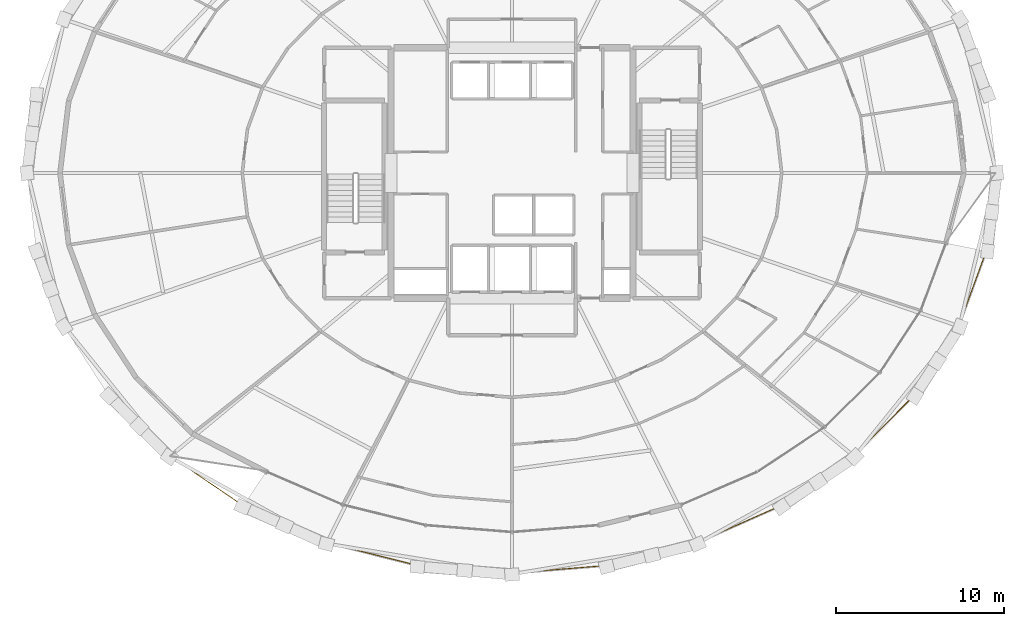
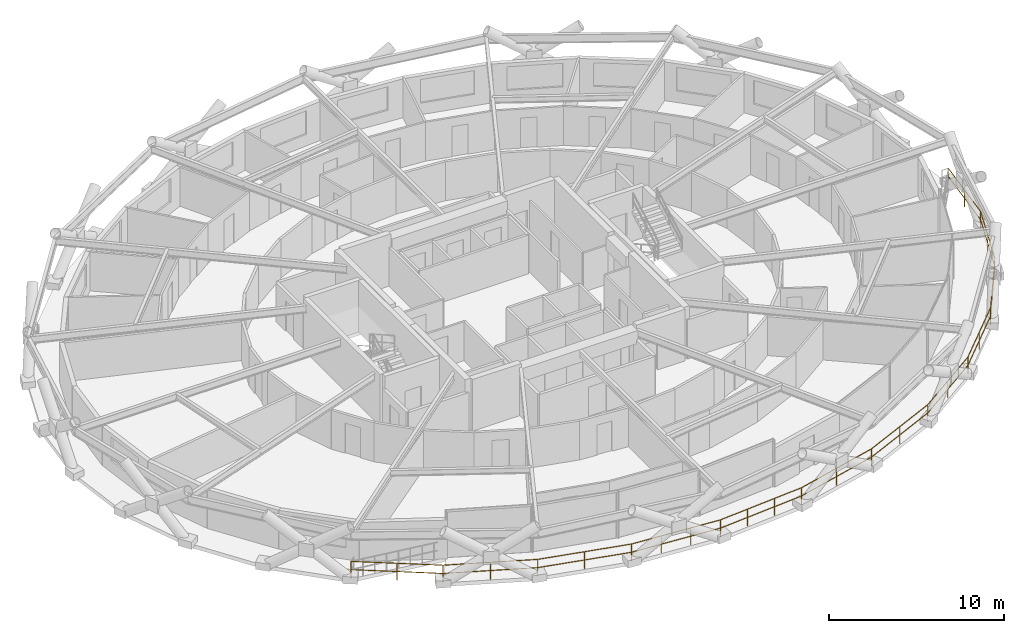
# One storey, part 20 of 21: 1 railing.
"""IFC4 building model written with IfcOpenShell, lengths in metres."""

import ifcopenshell
import ifcopenshell.guid

model = None  # the IFC model being written
_history = None  # IfcOwnerHistory: only IFC2X3 demands one
_inside = {}  # id of a spatial element -> (the spatial element, [elements in it])
_under = {}  # id of a project, library or spatial element -> (it, [spatial elements below it])
_declared = {}  # id of a project -> (the project, [libraries it declares])
_typed = {}  # id of a type object -> (the type object, [elements of that type])
_made_of = {}  # id of a material, layer set ... -> (it, [elements and type objects made of it])


def new_model(schema):
    """Start an empty IFC model of exactly this schema.

    Asked for "IFC4X3", IfcOpenShell would pick the latest addendum, in which some entities
    have other attributes; the version numbers below select the first issue.
    IFC2X3 requires an IfcOwnerHistory on every rooted entity: one is made here for all.
    """
    global model, _history
    if schema == "IFC4X3":
        model = ifcopenshell.file(schema_version=(4, 3, 0, 0))
    else:
        model = ifcopenshell.file(schema=schema)
    _inside.clear()
    _under.clear()
    _declared.clear()
    _typed.clear()
    _made_of.clear()
    _history = None
    if model.schema == "IFC2X3":
        org = make("IfcOrganization", Name="unknown")
        user = make(
            "IfcPersonAndOrganization",
            ThePerson=make("IfcPerson", FamilyName="unknown"),
            TheOrganization=org,
        )
        app = make(
            "IfcApplication",
            ApplicationDeveloper=org,
            Version="unknown",
            ApplicationFullName="unknown",
            ApplicationIdentifier="unknown",
        )
        _history = make(
            "IfcOwnerHistory",
            OwningUser=user,
            OwningApplication=app,
            ChangeAction="ADDED",
            CreationDate=0,
        )
    return model


def make(cls, **values):
    """One entity of the class cls with the attributes given. An attribute that is None is left unset."""
    return model.create_entity(
        cls, **{name: value for name, value in values.items() if value is not None}
    )


def rooted(cls, **values):
    """An entity with a GlobalId (a new one), such as an element, a storey or a relation."""
    return make(cls, GlobalId=ifcopenshell.guid.new(), OwnerHistory=_history, **values)


def si_unit(unit_type, name, prefix=None):
    """IfcSIUnit, for example si_unit("LENGTHUNIT", "METRE", prefix="MILLI")."""
    return make("IfcSIUnit", UnitType=unit_type, Prefix=prefix, Name=name)


def assignment(units):
    """IfcUnitAssignment: the units of a project."""
    return None if units is None else make("IfcUnitAssignment", Units=units)


def point(xyz):
    """IfcCartesianPoint."""
    return None if xyz is None else make("IfcCartesianPoint", Coordinates=xyz)


def direction(xyz):
    """IfcDirection."""
    return None if xyz is None else make("IfcDirection", DirectionRatios=xyz)


def frame(location, z_axis=None, x_axis=None):
    """IfcAxis2Placement3D, a coordinate frame: its origin and axes. An axis left out is left unset."""
    return make(
        "IfcAxis2Placement3D",
        Location=point(location),
        Axis=direction(z_axis),
        RefDirection=direction(x_axis),
    )


def frame_2d(location, x_axis=None):
    """IfcAxis2Placement2D, a coordinate frame in the plane: its origin and x axis."""
    return make(
        "IfcAxis2Placement2D", Location=point(location), RefDirection=direction(x_axis)
    )


def origin():
    """The frame at (0, 0, 0) with its axes left unset."""
    return frame((0.0, 0.0, 0.0))


def origin_2d():
    """The frame at (0, 0) in the plane with its x axis left unset."""
    return frame_2d((0.0, 0.0))


def place(relative_to, where):
    """IfcLocalPlacement: puts the frame where relative to a parent placement (None: the world)."""
    return make(
        "IfcLocalPlacement", PlacementRelTo=relative_to, RelativePlacement=where
    )


def context(
    kind, dimensions, precision=None, world=None, true_north=None, identifier=None
):
    """IfcGeometricRepresentationContext, for example the 3D "Model" context."""
    return make(
        "IfcGeometricRepresentationContext",
        ContextIdentifier=identifier,
        ContextType=kind,
        CoordinateSpaceDimension=dimensions,
        Precision=precision,
        WorldCoordinateSystem=world,
        TrueNorth=true_north,
    )


def subcontext(parent, identifier, kind, view, scale=None):
    """IfcGeometricRepresentationSubContext, for example "Body" below "Model"."""
    return make(
        "IfcGeometricRepresentationSubContext",
        ContextIdentifier=identifier,
        ContextType=kind,
        ParentContext=parent,
        TargetScale=scale,
        TargetView=view,
    )


def project(units=None, contexts=None):
    """IfcProject with its units and contexts."""
    return rooted(
        "IfcProject",
        Name="project",
        RepresentationContexts=contexts,
        UnitsInContext=assignment(units),
    )


def spatial(cls, under=None, at=None, **own):
    """A site, building, storey or space (cls), placed at a placement, below another one or the project."""
    s = rooted(cls, ObjectPlacement=at, **own)
    if under is not None:
        _under.setdefault(under.id(), (under, []))[1].append(s)
    return s


def profile(cls, at=None, kind="AREA", **sizes):
    """A parametric profile (cls). Its sizes go by their IFC names, for example OverallWidth=200.0."""
    return make(cls, ProfileType=kind, Position=at, **sizes)


def circle(**sizes):
    """IfcCircleProfileDef."""
    return profile("IfcCircleProfileDef", **sizes)


def extrude(swept, where, along, depth):
    """IfcExtrudedAreaSolid: the profile swept, set in the frame where, extruded along a direction by depth."""
    return make(
        "IfcExtrudedAreaSolid",
        SweptArea=swept,
        Position=where,
        ExtrudedDirection=direction(along),
        Depth=depth,
    )


def shape(context_of_items, identifier, shape_type, items):
    """IfcShapeRepresentation: the items that make up one representation, for example the "Body"."""
    return make(
        "IfcShapeRepresentation",
        ContextOfItems=context_of_items,
        RepresentationIdentifier=identifier,
        RepresentationType=shape_type,
        Items=items,
    )


def material(Name=None, Category=None):
    """IfcMaterial."""
    return make("IfcMaterial", Name=Name, Category=Category)


def made_of(thing, what):
    """Note that an element or type object is made of a material, layer set ...; save() writes the relation."""
    if what is not None:
        _made_of.setdefault(what.id(), (what, []))[1].append(thing)
    return thing


def type_object(cls, material=None, **own):
    """A type object (cls), such as IfcWallType, which elements share."""
    return made_of(rooted(cls, **own), material)


def element(
    cls,
    number,
    at=None,
    inside=None,
    cuts=None,
    type_object=None,
    material=None,
    context=None,
    identifier="Body",
    shape_type=None,
    held_by="IfcProductDefinitionShape",
    body=None,
    shapes=None,
    **own,
):
    """One element of the class cls, such as IfcWall. Its Tag is "e" and its number.

    at: its placement. inside: the storey or other place that contains it. cuts: it is an
    opening in that element (IfcRelVoidsElement). A single representation is given by context,
    identifier, shape_type and body (its items); several are given by shapes. held_by: the class
    of the entity that holds the representations. save() writes the other relations.
    """
    e = rooted(cls, Tag="e%d" % number, ObjectPlacement=at, **own)
    if body is not None:
        shapes = [shape(context, identifier, shape_type, body)]
    if shapes is not None:
        e.Representation = make(held_by, Representations=shapes)
    if inside is not None:
        _inside.setdefault(inside.id(), (inside, []))[1].append(e)
    if cuts is not None:
        rooted(
            "IfcRelVoidsElement", RelatingBuildingElement=cuts, RelatedOpeningElement=e
        )
    if type_object is not None:
        _typed.setdefault(type_object.id(), (type_object, []))[1].append(e)
    return made_of(e, material)


def aggregate(whole, parts):
    """IfcRelAggregates: a whole, such as a stair, and the parts it consists of."""
    return rooted("IfcRelAggregates", RelatingObject=whole, RelatedObjects=parts)


def save(model, path):
    """Write the relations noted so far, then the file.

    IfcRelAggregates (storeys below a building ...), IfcRelContainedInSpatialStructure (elements
    in a storey), IfcRelDefinesByType, IfcRelAssociatesMaterial and IfcRelDeclares: one each for
    every whole, place, type object, material and project.
    """
    for whole, parts in _under.values():
        aggregate(whole, parts)
    for where, things in _inside.values():
        rooted(
            "IfcRelContainedInSpatialStructure",
            RelatedElements=things,
            RelatingStructure=where,
        )
    for kind, things in _typed.values():
        rooted("IfcRelDefinesByType", RelatedObjects=things, RelatingType=kind)
    for what, things in _made_of.values():
        rooted("IfcRelAssociatesMaterial", RelatedObjects=things, RelatingMaterial=what)
    for by, libraries in _declared.values():
        rooted("IfcRelDeclares", RelatingContext=by, RelatedDefinitions=libraries)
    model.write(path)


model = new_model("IFC4")

# Units and contexts
model_context = context("Model", 3, precision=1e-05, world=origin(), true_north=direction((0.0, 1.0)))
body_context = subcontext(model_context, "Body", "Model", "MODEL_VIEW")
ifc_project = project(units=[si_unit("LENGTHUNIT", "METRE"), si_unit("AREAUNIT", "SQUARE_METRE"), si_unit("VOLUMEUNIT", "CUBIC_METRE"), si_unit("PLANEANGLEUNIT", "RADIAN"), si_unit("MASSUNIT", "GRAM", prefix="KILO")], contexts=[model_context])

# Site, building, storey
site_placement = place(None, origin())
site = spatial("IfcSite", under=ifc_project, at=site_placement, CompositionType="ELEMENT")
building_placement = place(site_placement, origin())
building = spatial("IfcBuilding", under=site, at=building_placement, Name="Veldorina Hangang Commons", CompositionType="ELEMENT")
storey_placement = place(building_placement, frame((0.0, 0.0, 98.800048828125)))
storey = spatial("IfcBuildingStorey", under=building, at=storey_placement, Name="L25", CompositionType="ELEMENT", Elevation=98.800048828125)

# Railing
ifc_material = material(Name="Glass Laminated Safety Balustrade", Category="glass")
railing_type = type_object("IfcRailingType", Name="RL-BAL-LOGGIA", PredefinedType="BALUSTRADE", material=ifc_material)
railing_placement = place(storey_placement, frame((11.657958984375, 7.152099609375, 0.0)))
element("IfcRailing", 1, at=railing_placement, inside=storey, type_object=railing_type, Name="L25 sky-garden loggia outer balustrade", PredefinedType="BALUSTRADE", context=body_context, shape_type="SweptSolid", body=[
    extrude(circle(Radius=0.02392578125, at=origin_2d()), frame((0.0, 0.0, 1.17578125), z_axis=(0.82736816317, -0.561659970598, 0.0), x_axis=(0.561659970598, 0.82736816317, 0.0)), (0.0, 0.0, 1.0), 5.271240234375),
    extrude(circle(Radius=0.02392578125, at=origin_2d()), frame((0.0, 0.0, 0.60009765625), z_axis=(0.82736816317, -0.561659970598, 0.0), x_axis=(0.561659970598, 0.82736816317, 0.0)), (0.0, 0.0, 1.0), 5.271240234375),
    extrude(circle(Radius=0.02392578125, at=origin_2d()), frame((4.361328125, -2.960693359375, 1.17578125), z_axis=(0.914594728038, -0.404371714448, 0.0), x_axis=(0.404371714448, 0.914594728038, 0.0)), (0.0, 0.0, 1.0), 5.438720703125),
    extrude(circle(Radius=0.02392578125, at=origin_2d()), frame((4.361328125, -2.960693359375, 0.60009765625), z_axis=(0.914594728038, -0.404371714448, 0.0), x_axis=(0.404371714448, 0.914594728038, 0.0)), (0.0, 0.0, 1.0), 5.438720703125),
    extrude(circle(Radius=0.02392578125, at=origin_2d()), frame((9.33544921875, -5.159912109375, 1.17578125), z_axis=(0.969940812244, -0.243340955746, 0.0), x_axis=(0.243340955746, 0.969940812244, 0.0)), (0.0, 0.0, 1.0), 5.563232421875),
    extrude(circle(Radius=0.02392578125, at=origin_2d()), frame((9.33544921875, -5.159912109375, 0.60009765625), z_axis=(0.969940812244, -0.243340955746, 0.0), x_axis=(0.243340955746, 0.969940812244, 0.0)), (0.0, 0.0, 1.0), 5.563232421875),
    extrude(circle(Radius=0.02392578125, at=origin_2d()), frame((14.7314453125, -6.513671875, 1.17578125), z_axis=(0.996698668989, -0.081189674442, 0.0), x_axis=(0.081189674442, 0.996698668989, 0.0)), (0.0, 0.0, 1.0), 5.629150390625),
    extrude(circle(Radius=0.02392578125, at=origin_2d()), frame((14.7314453125, -6.513671875, 0.60009765625), z_axis=(0.996698668989, -0.081189674442, 0.0), x_axis=(0.081189674442, 0.996698668989, 0.0)), (0.0, 0.0, 1.0), 5.629150390625),
    extrude(circle(Radius=0.02392578125, at=origin_2d()), frame((20.342041015625, -6.970703125, 1.17578125), z_axis=(0.996698668989, 0.081189674442, 0.0), x_axis=(-0.081189674442, 0.996698668989, 0.0)), (0.0, 0.0, 1.0), 5.629150390625),
    extrude(circle(Radius=0.02392578125, at=origin_2d()), frame((20.342041015625, -6.970703125, 0.60009765625), z_axis=(0.996698668989, 0.081189674442, 0.0), x_axis=(-0.081189674442, 0.996698668989, 0.0)), (0.0, 0.0, 1.0), 5.629150390625),
    extrude(circle(Radius=0.02392578125, at=origin_2d()), frame((25.95263671875, -6.513671875, 1.17578125), z_axis=(0.969940812244, 0.243340955746, 0.0), x_axis=(-0.243340955746, 0.969940812244, 0.0)), (0.0, 0.0, 1.0), 5.563232421875),
    extrude(circle(Radius=0.02392578125, at=origin_2d()), frame((25.95263671875, -6.513671875, 0.60009765625), z_axis=(0.969940812244, 0.243340955746, 0.0), x_axis=(-0.243340955746, 0.969940812244, 0.0)), (0.0, 0.0, 1.0), 5.563232421875),
    extrude(circle(Radius=0.02392578125, at=origin_2d()), frame((31.3486328125, -5.159912109375, 1.17578125), z_axis=(0.914594728038, 0.404371714448, 0.0), x_axis=(-0.404371714448, 0.914594728038, 0.0)), (0.0, 0.0, 1.0), 5.438720703125),
    extrude(circle(Radius=0.02392578125, at=origin_2d()), frame((31.3486328125, -5.159912109375, 0.60009765625), z_axis=(0.914594728038, 0.404371714448, 0.0), x_axis=(-0.404371714448, 0.914594728038, 0.0)), (0.0, 0.0, 1.0), 5.438720703125),
    extrude(circle(Radius=0.02392578125, at=origin_2d()), frame((36.32275390625, -2.960693359375, 1.17578125), z_axis=(0.82736816317, 0.561659970598, 0.0), x_axis=(-0.561659970598, 0.82736816317, 0.0)), (0.0, 0.0, 1.0), 5.271240234375),
    extrude(circle(Radius=0.02392578125, at=origin_2d()), frame((36.32275390625, -2.960693359375, 0.60009765625), z_axis=(0.82736816317, 0.561659970598, 0.0), x_axis=(-0.561659970598, 0.82736816317, 0.0)), (0.0, 0.0, 1.0), 5.271240234375),
    extrude(circle(Radius=0.02392578125, at=origin_2d()), frame((40.68408203125, 0.0, 1.17578125), z_axis=(0.704219488541, 0.709982332146, 0.0), x_axis=(-0.709982332146, 0.704219488541, 0.0)), (0.0, 0.0, 1.0), 5.083740234375),
    extrude(circle(Radius=0.02392578125, at=origin_2d()), frame((40.68408203125, 0.0, 0.60009765625), z_axis=(0.704219488541, 0.709982332146, 0.0), x_axis=(-0.709982332146, 0.704219488541, 0.0)), (0.0, 0.0, 1.0), 5.083740234375),
    extrude(circle(Radius=0.02392578125, at=origin_2d()), frame((44.26416015625, 3.609375, 1.17578125), z_axis=(0.542600821925, 0.839990683309, 0.0), x_axis=(-0.839990683309, 0.542600821925, 0.0)), (0.0, 0.0, 1.0), 4.903564453125),
    extrude(circle(Radius=0.02392578125, at=origin_2d()), frame((44.26416015625, 3.609375, 0.60009765625), z_axis=(0.542600821925, 0.839990683309, 0.0), x_axis=(-0.839990683309, 0.542600821925, 0.0)), (0.0, 0.0, 1.0), 4.903564453125),
    extrude(circle(Radius=0.02392578125, at=origin_2d()), frame((46.9248046875, 7.728271484375, 1.17578125), z_axis=(0.344224515406, 0.938887364381, 0.0), x_axis=(-0.938887364381, 0.344224515406, 0.0)), (0.0, 0.0, 1.0), 4.76123046875),
    extrude(circle(Radius=0.02392578125, at=origin_2d()), frame((46.9248046875, 7.728271484375, 0.60009765625), z_axis=(0.344224515406, 0.938887364381, 0.0), x_axis=(-0.938887364381, 0.344224515406, 0.0)), (0.0, 0.0, 1.0), 4.76123046875),
    extrude(circle(Radius=0.02392578125, at=origin_2d()), frame((48.563720703125, 12.198486328125, 1.17578125), z_axis=(0.118154131282, 0.992995267492, 0.0), x_axis=(-0.992995267492, 0.118154131282, 0.0)), (0.0, 0.0, 1.0), 4.68212890625),
    extrude(circle(Radius=0.02392578125, at=origin_2d()), frame((48.563720703125, 12.198486328125, 0.60009765625), z_axis=(0.118154131282, 0.992995267492, 0.0), x_axis=(-0.992995267492, 0.118154131282, 0.0)), (0.0, 0.0, 1.0), 4.68212890625),
    extrude(circle(Radius=0.02099609375, at=origin_2d()), origin(), (0.0, 0.0, 1.0), 1.15185546875),
    extrude(circle(Radius=0.02099609375, at=origin_2d()), frame((2.1806640625, -1.48046875, 0.0)), (0.0, 0.0, 1.0), 1.15185546875),
    extrude(circle(Radius=0.02099609375, at=origin_2d()), frame((4.361328125, -2.960693359375, 0.0)), (0.0, 0.0, 1.0), 1.15185546875),
    extrude(circle(Radius=0.02099609375, at=origin_2d()), frame((6.848388671875, -4.060302734375, 0.0)), (0.0, 0.0, 1.0), 1.15185546875),
    extrude(circle(Radius=0.02099609375, at=origin_2d()), frame((9.33544921875, -5.159912109375, 0.0)), (0.0, 0.0, 1.0), 1.15185546875),
    extrude(circle(Radius=0.02099609375, at=origin_2d()), frame((12.033447265625, -5.8369140625, 0.0)), (0.0, 0.0, 1.0), 1.15185546875),
    extrude(circle(Radius=0.02099609375, at=origin_2d()), frame((14.7314453125, -6.513671875, 0.0)), (0.0, 0.0, 1.0), 1.15185546875),
    extrude(circle(Radius=0.02099609375, at=origin_2d()), frame((16.6015625, -6.666015625, 0.0)), (0.0, 0.0, 1.0), 1.15185546875),
    extrude(circle(Radius=0.02099609375, at=origin_2d()), frame((18.471923828125, -6.818359375, 0.0)), (0.0, 0.0, 1.0), 1.15185546875),
    extrude(circle(Radius=0.02099609375, at=origin_2d()), frame((20.342041015625, -6.970703125, 0.0)), (0.0, 0.0, 1.0), 1.15185546875),
    extrude(circle(Radius=0.02099609375, at=origin_2d()), frame((22.212158203125, -6.818359375, 0.0)), (0.0, 0.0, 1.0), 1.15185546875),
    extrude(circle(Radius=0.02099609375, at=origin_2d()), frame((24.08251953125, -6.666015625, 0.0)), (0.0, 0.0, 1.0), 1.15185546875),
    extrude(circle(Radius=0.02099609375, at=origin_2d()), frame((25.95263671875, -6.513671875, 0.0)), (0.0, 0.0, 1.0), 1.15185546875),
    extrude(circle(Radius=0.02099609375, at=origin_2d()), frame((28.650634765625, -5.8369140625, 0.0)), (0.0, 0.0, 1.0), 1.15185546875),
    extrude(circle(Radius=0.02099609375, at=origin_2d()), frame((31.3486328125, -5.159912109375, 0.0)), (0.0, 0.0, 1.0), 1.15185546875),
    extrude(circle(Radius=0.02099609375, at=origin_2d()), frame((33.835693359375, -4.060302734375, 0.0)), (0.0, 0.0, 1.0), 1.15185546875),
    extrude(circle(Radius=0.02099609375, at=origin_2d()), frame((36.32275390625, -2.960693359375, 0.0)), (0.0, 0.0, 1.0), 1.15185546875),
    extrude(circle(Radius=0.02099609375, at=origin_2d()), frame((38.50341796875, -1.48046875, 0.0)), (0.0, 0.0, 1.0), 1.15185546875),
    extrude(circle(Radius=0.02099609375, at=origin_2d()), frame((40.68408203125, 0.0, 0.0)), (0.0, 0.0, 1.0), 1.15185546875),
    extrude(circle(Radius=0.02099609375, at=origin_2d()), frame((42.47412109375, 1.8046875, 0.0)), (0.0, 0.0, 1.0), 1.15185546875),
    extrude(circle(Radius=0.02099609375, at=origin_2d()), frame((44.26416015625, 3.609375, 0.0)), (0.0, 0.0, 1.0), 1.15185546875),
    extrude(circle(Radius=0.02099609375, at=origin_2d()), frame((45.594482421875, 5.6689453125, 0.0)), (0.0, 0.0, 1.0), 1.15185546875),
    extrude(circle(Radius=0.02099609375, at=origin_2d()), frame((46.9248046875, 7.728271484375, 0.0)), (0.0, 0.0, 1.0), 1.15185546875),
    extrude(circle(Radius=0.02099609375, at=origin_2d()), frame((47.744140625, 9.96337890625, 0.0)), (0.0, 0.0, 1.0), 1.15185546875),
    extrude(circle(Radius=0.02099609375, at=origin_2d()), frame((48.563720703125, 12.198486328125, 0.0)), (0.0, 0.0, 1.0), 1.15185546875),
    extrude(circle(Radius=0.02099609375, at=origin_2d()), frame((48.84033203125, 14.523193359375, 0.0)), (0.0, 0.0, 1.0), 1.15185546875),
    extrude(circle(Radius=0.02099609375, at=origin_2d()), frame((49.116943359375, 16.847900390625, 0.0)), (0.0, 0.0, 1.0), 1.15185546875),
])

save(model, "model.ifc")
